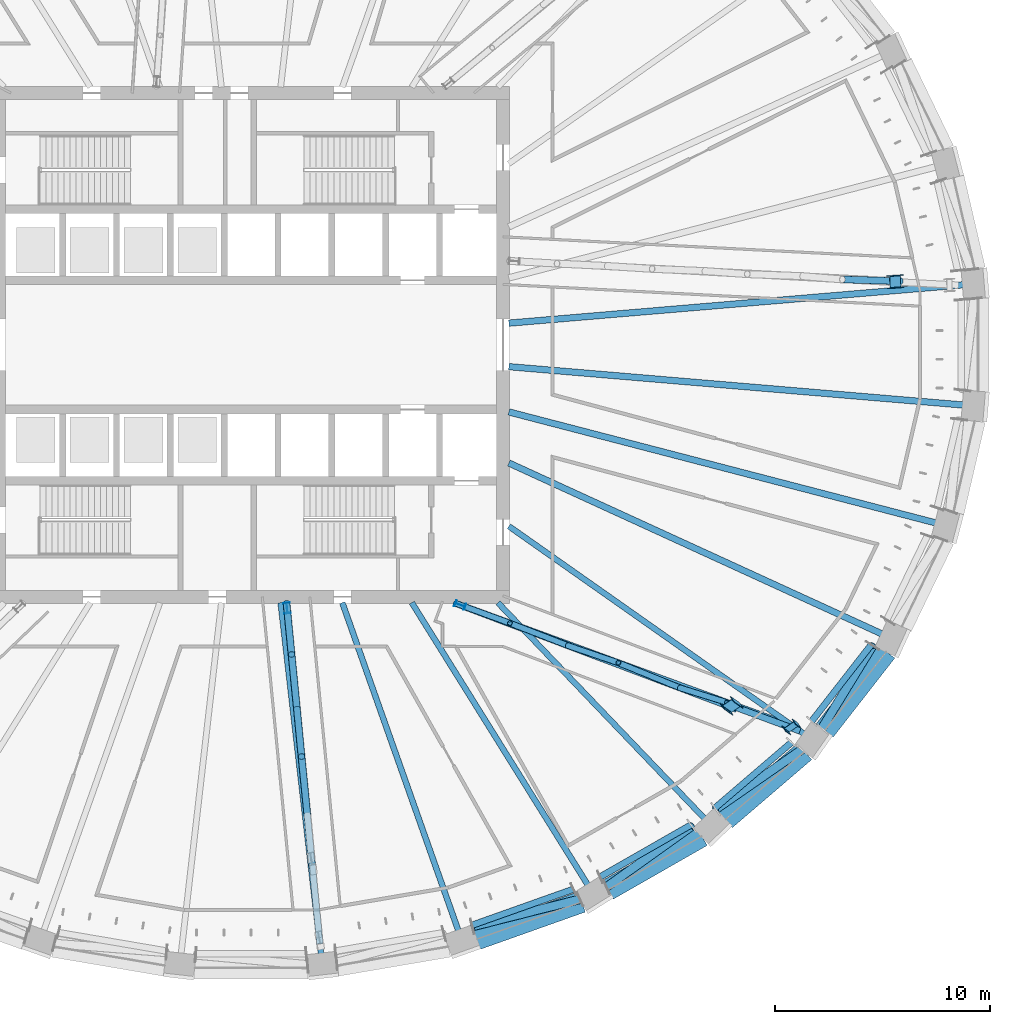
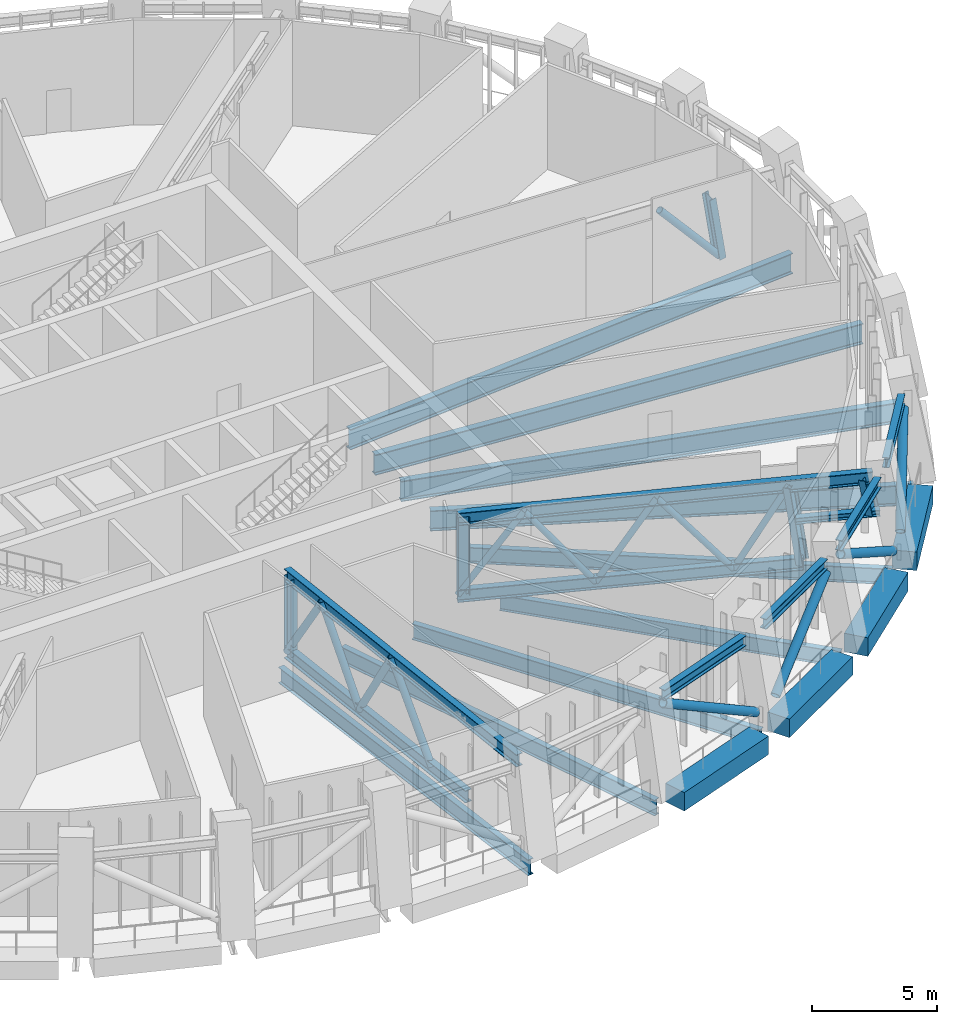
# One storey, part 3 of 21: 28 members, 13 beams.
"""IFC4 building model written with IfcOpenShell, lengths in metres."""

from ifc_helpers import new_model, si_unit, direction, frame, origin, origin_2d, place, context, subcontext, project, spatial, rectangle, hollow_circle, i_section, extrude, material, material_profile, profile_set, type_object, element, save


model = new_model("IFC4")

# Units and contexts
model_context = context("Model", 3, precision=1e-05, world=origin(), true_north=direction((0.0, 1.0)))
body_context = subcontext(model_context, "Body", "Model", "MODEL_VIEW")
ifc_project = project(units=[si_unit("LENGTHUNIT", "METRE"), si_unit("AREAUNIT", "SQUARE_METRE"), si_unit("VOLUMEUNIT", "CUBIC_METRE"), si_unit("PLANEANGLEUNIT", "RADIAN"), si_unit("MASSUNIT", "GRAM", prefix="KILO")], contexts=[model_context])

# Site, building, storey
site_placement = place(None, origin())
site = spatial("IfcSite", under=ifc_project, at=site_placement, CompositionType="ELEMENT")
building_placement = place(site_placement, origin())
building = spatial("IfcBuilding", under=site, at=building_placement, Name="Halqa Exchange Tower", CompositionType="ELEMENT")
storey_placement = place(building_placement, frame((0.0, 0.0, 173.5)))
storey = spatial("IfcBuildingStorey", under=building, at=storey_placement, Name="L39", CompositionType="ELEMENT", Elevation=173.5)

# Members
ifc_material_1 = material(Name="Steel S355", Category="steel")
ifc_material_profile_1 = material_profile(ifc_material_1, i_section(OverallWidth=0.300048828125, OverallDepth=0.5, WebThickness=0.014404296875, FlangeThickness=0.028076171875, FilletRadius=0.027099609375, at=origin_2d()), Name="HEB 500")
ifc_profile_set_1 = profile_set([ifc_material_profile_1], Name="Steel S355")
member_type_1 = type_object("IfcMemberType", Name="Belt truss chord HEB 500", PredefinedType="CHORD", material=ifc_profile_set_1)
member_1_placement = place(storey_placement, frame((10.254638671875, -26.95166015625, 4.25), z_axis=(0.942378759051, 0.334547865769, 0.0), x_axis=(-0.334547865769, 0.942378759051, 0.0)))
element("IfcMember", 1, at=member_1_placement, inside=storey, type_object=member_type_1, Name="Belt chord 26", PredefinedType="CHORD", context=body_context, shape_type="SweptSolid", body=[
    extrude(i_section(OverallWidth=0.300048828125, OverallDepth=0.5, WebThickness=0.014404296875, FlangeThickness=0.028076171875, FilletRadius=0.027099609375, at=origin_2d()), origin(), (0.0, 0.0, 1.0), 5.01708984375),
])
member_2_placement = place(storey_placement, frame((16.2041015625, -24.712158203125, 4.25), z_axis=(0.867761979949, 0.496980025912, 0.0), x_axis=(-0.496980025912, 0.867761979949, 0.0)))
element("IfcMember", 2, at=member_2_placement, inside=storey, type_object=member_type_1, Name="Belt chord 27", PredefinedType="CHORD", context=body_context, shape_type="SweptSolid", body=[
    extrude(i_section(OverallWidth=0.300048828125, OverallDepth=0.5, WebThickness=0.014404296875, FlangeThickness=0.028076171875, FilletRadius=0.027099609375, at=origin_2d()), origin(), (0.0, 0.0, 1.0), 4.875244140625),
])
member_3_placement = place(storey_placement, frame((21.53271484375, -21.5146484375, 4.25), z_axis=(0.759249266191, 0.650799932228, 0.0), x_axis=(-0.650799932228, 0.759249266191, 0.0)))
element("IfcMember", 3, at=member_3_placement, inside=storey, type_object=member_type_1, Name="Belt chord 28", PredefinedType="CHORD", context=body_context, shape_type="SweptSolid", body=[
    extrude(i_section(OverallWidth=0.300048828125, OverallDepth=0.5, WebThickness=0.014404296875, FlangeThickness=0.028076171875, FilletRadius=0.027099609375, at=origin_2d()), origin(), (0.0, 0.0, 1.0), 4.6982421875),
])
member_4_placement = place(storey_placement, frame((26.02880859375, -17.483642578125, 4.25), z_axis=(0.61479322814, 0.788688333014, 0.0), x_axis=(-0.788688333014, 0.61479322814, 0.0)))
element("IfcMember", 4, at=member_4_placement, inside=storey, type_object=member_type_1, Name="Belt chord 29", PredefinedType="CHORD", context=body_context, shape_type="SweptSolid", body=[
    extrude(i_section(OverallWidth=0.300048828125, OverallDepth=0.5, WebThickness=0.014404296875, FlangeThickness=0.028076171875, FilletRadius=0.027099609375, at=origin_2d()), origin(), (0.0, 0.0, 1.0), 4.517822265625),
])
ifc_material_profile_2 = material_profile(ifc_material_1, hollow_circle(Radius=0.203125, WallThickness=0.02490234375, at=origin_2d()), Name="CHS 406.4x25")
ifc_profile_set_2 = profile_set([ifc_material_profile_2], Name="Steel S355")
member_type_2 = type_object("IfcMemberType", Name="Belt truss diagonal CHS 406.4x25", PredefinedType="BRACE", material=ifc_profile_set_2)
member_5_placement = place(storey_placement, frame((10.268798828125, -27.0126953125, 3.864501953125), z_axis=(0.840508424684, 0.213276763009, -0.498054826696), x_axis=(-0.245952672162, 0.969281838815, 0.0)))
element("IfcMember", 5, at=member_5_placement, inside=storey, type_object=member_type_2, Name="Belt diagonal 26", PredefinedType="BRACE", context=body_context, shape_type="SweptSolid", body=[
    extrude(hollow_circle(Radius=0.203125, WallThickness=0.02490234375, at=origin_2d()), origin(), (0.0, 0.0, 1.0), 5.968505859375),
])
member_6_placement = place(storey_placement, frame((16.504638671875, -25.174072265625, 0.912353515625), z_axis=(0.69757096211, 0.497474173459, 0.515668691663), x_axis=(-0.580626866406, 0.814169786966, 0.0)))
element("IfcMember", 6, at=member_6_placement, inside=storey, type_object=member_type_2, Name="Belt diagonal 27", PredefinedType="BRACE", context=body_context, shape_type="SweptSolid", body=[
    extrude(hollow_circle(Radius=0.203125, WallThickness=0.02490234375, at=origin_2d()), origin(), (0.0, 0.0, 1.0), 5.689453125),
])
member_7_placement = place(storey_placement, frame((21.571533203125, -21.5712890625, 3.846923828125), z_axis=(0.704309128448, 0.48869555383, -0.514903201827), x_axis=(-0.570074666701, 0.821592888471, 0.0)))
element("IfcMember", 7, at=member_7_placement, inside=storey, type_object=member_type_2, Name="Belt diagonal 28", PredefinedType="BRACE", context=body_context, shape_type="SweptSolid", body=[
    extrude(hollow_circle(Radius=0.203125, WallThickness=0.02490234375, at=origin_2d()), origin(), (0.0, 0.0, 1.0), 5.701171875),
])
member_8_placement = place(storey_placement, frame((26.509521484375, -17.80859375, 0.93896484375), z_axis=(0.440784626595, 0.718445669426, 0.538093609924), x_axis=(-0.852364909508, 0.522947474456, 0.0)))
element("IfcMember", 8, at=member_8_placement, inside=storey, type_object=member_type_2, Name="Belt diagonal 29", PredefinedType="BRACE", context=body_context, shape_type="SweptSolid", body=[
    extrude(hollow_circle(Radius=0.203125, WallThickness=0.02490234375, at=origin_2d()), origin(), (0.0, 0.0, 1.0), 5.3564453125),
])

# Beams
ifc_material_profile_3 = material_profile(ifc_material_1, i_section(OverallWidth=0.300048828125, OverallDepth=0.989990234375, WebThickness=0.0166015625, FlangeThickness=0.031005859375, FilletRadius=0.030029296875, at=origin_2d()), Name="HEA 1000")
ifc_profile_set_3 = profile_set([ifc_material_profile_3], Name="Steel S355")
beam_type_1 = type_object("IfcBeamType", Name="Floor beam HEA 1000", PredefinedType="BEAM", material=ifc_profile_set_3)
beam_1_placement = place(storey_placement, frame((11.972412109375, -5.4853515625, -0.844970703125), z_axis=(0.909131678644, -0.416508812495, 0.0), x_axis=(0.416508812495, 0.909131678644, 0.0)))
element("IfcBeam", 9, at=beam_1_placement, inside=storey, type_object=beam_type_1, Name="Radial beam 30", PredefinedType="BEAM", context=body_context, shape_type="SweptSolid", body=[
    extrude(i_section(OverallWidth=0.300048828125, OverallDepth=0.989990234375, WebThickness=0.0166015625, FlangeThickness=0.031005859375, FilletRadius=0.030029296875, at=origin_2d()), origin(), (0.0, 0.0, 1.0), 19.36083984375),
])
ifc_material_profile_4 = material_profile(ifc_material_1, i_section(OverallWidth=0.300048828125, OverallDepth=1.0, WebThickness=0.01904296875, FlangeThickness=0.035888671875, FilletRadius=0.030029296875, at=origin_2d()), Name="HEB 1000")
ifc_profile_set_4 = profile_set([ifc_material_profile_4], Name="Steel S355")
beam_type_2 = type_object("IfcBeamType", Name="Floor beam HEB 1000", PredefinedType="BEAM", material=ifc_profile_set_4)
beam_2_placement = place(storey_placement, frame((11.972412109375, 1.0107421875, -0.85009765625), z_axis=(0.996455470836, 0.084121903455, 0.0), x_axis=(-0.084121903455, 0.996455470836, 0.0)))
element("IfcBeam", 10, at=beam_2_placement, inside=storey, type_object=beam_type_2, Name="Radial beam 1", PredefinedType="BEAM", context=body_context, shape_type="SweptSolid", body=[
    extrude(i_section(OverallWidth=0.300048828125, OverallDepth=1.0, WebThickness=0.01904296875, FlangeThickness=0.035888671875, FilletRadius=0.030029296875, at=origin_2d()), origin(), (0.0, 0.0, 1.0), 21.490966796875),
])
beam_3_placement = place(storey_placement, frame((11.97119140625, -3.11279296875, -0.85009765625), z_axis=(0.967821534715, -0.251637590478, 0.0), x_axis=(0.251637590478, 0.967821534715, 0.0)))
element("IfcBeam", 11, at=beam_3_placement, inside=storey, type_object=beam_type_2, Name="Radial beam 31", PredefinedType="BEAM", context=body_context, shape_type="SweptSolid", body=[
    extrude(i_section(OverallWidth=0.300048828125, OverallDepth=1.0, WebThickness=0.01904296875, FlangeThickness=0.035888671875, FilletRadius=0.030029296875, at=origin_2d()), origin(), (0.0, 0.0, 1.0), 20.79638671875),
])
beam_4_placement = place(storey_placement, frame((11.972412109375, -1.0107421875, -0.85009765625), z_axis=(0.996455470836, -0.084121903455, 0.0), x_axis=(0.084121903455, 0.996455470836, 0.0)))
element("IfcBeam", 12, at=beam_4_placement, inside=storey, type_object=beam_type_2, Name="Radial beam 32", PredefinedType="BEAM", context=body_context, shape_type="SweptSolid", body=[
    extrude(i_section(OverallWidth=0.300048828125, OverallDepth=1.0, WebThickness=0.01904296875, FlangeThickness=0.035888671875, FilletRadius=0.030029296875, at=origin_2d()), origin(), (0.0, 0.0, 1.0), 21.490966796875),
])
ifc_material_profile_5 = material_profile(ifc_material_1, i_section(OverallWidth=0.264892578125, OverallDepth=0.7529296875, WebThickness=0.01318359375, FlangeThickness=0.01708984375, FilletRadius=0.01708984375, at=origin_2d()), Name="IPE 750x147")
ifc_profile_set_5 = profile_set([ifc_material_profile_5], Name="Steel S355")
beam_type_3 = type_object("IfcBeamType", Name="Floor beam IPE 750x147", PredefinedType="BEAM", material=ifc_profile_set_5)
beam_5_placement = place(storey_placement, frame((11.462890625, -11.97216796875, -0.7265625), z_axis=(0.691574751558, -0.722304896153, 0.0), x_axis=(0.722304896153, 0.691574751558, 0.0)))
element("IfcBeam", 13, at=beam_5_placement, inside=storey, type_object=beam_type_3, Name="Radial beam 28", PredefinedType="BEAM", context=body_context, shape_type="SweptSolid", body=[
    extrude(i_section(OverallWidth=0.264892578125, OverallDepth=0.7529296875, WebThickness=0.01318359375, FlangeThickness=0.01708984375, FilletRadius=0.01708984375, at=origin_2d()), origin(), (0.0, 0.0, 1.0), 14.165283203125),
])
ifc_material_profile_6 = material_profile(ifc_material_1, i_section(OverallWidth=0.26806640625, OverallDepth=0.77001953125, WebThickness=0.015625, FlangeThickness=0.025390625, FilletRadius=0.01708984375, at=origin_2d()), Name="IPE 750x196")
ifc_profile_set_6 = profile_set([ifc_material_profile_6], Name="Steel S355")
beam_type_4 = type_object("IfcBeamType", Name="Floor beam IPE 750x196", PredefinedType="BEAM", material=ifc_profile_set_6)
beam_6_placement = place(storey_placement, frame((1.37548828125, -11.97119140625, -0.735107421875), z_axis=(0.114150878314, -0.993463425084, 0.0), x_axis=(0.993463425084, 0.114150878314, 0.0)))
element("IfcBeam", 14, at=beam_6_placement, inside=storey, type_object=beam_type_4, Name="Radial beam 25", PredefinedType="BEAM", context=body_context, shape_type="SweptSolid", body=[
    extrude(i_section(OverallWidth=0.26806640625, OverallDepth=0.77001953125, WebThickness=0.015625, FlangeThickness=0.025390625, FilletRadius=0.01708984375, at=origin_2d()), origin(), (0.0, 0.0, 1.0), 16.70361328125),
])
beam_7_placement = place(storey_placement, frame((4.237060546875, -11.972412109375, -0.735107421875), z_axis=(0.333624740658, -0.942705962865, 0.0), x_axis=(0.942705962865, 0.333624740658, 0.0)))
element("IfcBeam", 15, at=beam_7_placement, inside=storey, type_object=beam_type_4, Name="Radial beam 26", PredefinedType="BEAM", context=body_context, shape_type="SweptSolid", body=[
    extrude(i_section(OverallWidth=0.26806640625, OverallDepth=0.77001953125, WebThickness=0.015625, FlangeThickness=0.025390625, FilletRadius=0.01708984375, at=origin_2d()), origin(), (0.0, 0.0, 1.0), 16.440185546875),
])
beam_8_placement = place(storey_placement, frame((7.46533203125, -11.971435546875, -0.735107421875), z_axis=(0.529139539114, -0.848534824357, 0.0), x_axis=(0.848534824357, 0.529139539114, 0.0)))
element("IfcBeam", 16, at=beam_8_placement, inside=storey, type_object=beam_type_4, Name="Radial beam 27", PredefinedType="BEAM", context=body_context, shape_type="SweptSolid", body=[
    extrude(i_section(OverallWidth=0.26806640625, OverallDepth=0.77001953125, WebThickness=0.015625, FlangeThickness=0.025390625, FilletRadius=0.01708984375, at=origin_2d()), origin(), (0.0, 0.0, 1.0), 15.73486328125),
])
beam_9_placement = place(storey_placement, frame((11.971435546875, -8.421142578125, -0.735107421875), z_axis=(0.817908264437, -0.575348651659, 0.0), x_axis=(0.575348651659, 0.817908264437, 0.0)))
element("IfcBeam", 17, at=beam_9_placement, inside=storey, type_object=beam_type_4, Name="Radial beam 29", PredefinedType="BEAM", context=body_context, shape_type="SweptSolid", body=[
    extrude(i_section(OverallWidth=0.26806640625, OverallDepth=0.77001953125, WebThickness=0.015625, FlangeThickness=0.025390625, FilletRadius=0.01708984375, at=origin_2d()), origin(), (0.0, 0.0, 1.0), 17.04638671875),
])

# Members
ifc_material_profile_7 = material_profile(ifc_material_1, i_section(OverallWidth=0.300048828125, OverallDepth=0.60009765625, WebThickness=0.015380859375, FlangeThickness=0.030029296875, FilletRadius=0.027099609375, at=origin_2d()), Name="HEB 600")
ifc_profile_set_7 = profile_set([ifc_material_profile_7], Name="Steel S355")
member_type_3 = type_object("IfcMemberType", Name="Outrigger chord HEB 600", PredefinedType="CHORD", material=ifc_profile_set_7)
member_9_placement = place(storey_placement, frame((1.6474609375, -11.97314453125, 0.300048828125), z_axis=(0.097896247627, -0.99519662615, 0.0), x_axis=(0.99519662615, 0.097896247627, 0.0)))
element("IfcMember", 18, at=member_9_placement, inside=storey, type_object=member_type_3, Name="Outrigger 7 chord", PredefinedType="CHORD", context=body_context, shape_type="SweptSolid", body=[
    extrude(i_section(OverallWidth=0.300048828125, OverallDepth=0.60009765625, WebThickness=0.015380859375, FlangeThickness=0.030029296875, FilletRadius=0.027099609375, at=origin_2d()), origin(), (0.0, 0.0, 1.0), 12.421875),
])
member_10_placement = place(storey_placement, frame((1.6474609375, -11.97314453125, 4.047119140625), z_axis=(0.097290007314, -0.995256074825, 0.0), x_axis=(0.995256074825, 0.097290007314, 0.0)))
element("IfcMember", 19, at=member_10_placement, inside=storey, type_object=member_type_3, Name="Outrigger 7 chord", PredefinedType="CHORD", context=body_context, shape_type="SweptSolid", body=[
    extrude(i_section(OverallWidth=0.300048828125, OverallDepth=0.60009765625, WebThickness=0.015380859375, FlangeThickness=0.030029296875, FilletRadius=0.027099609375, at=origin_2d()), origin(), (0.0, 0.0, 1.0), 15.922119140625),
])
member_11_placement = place(storey_placement, frame((9.474853515625, -11.990478515625, 0.300048828125), z_axis=(0.935734904051, -0.352704110185, 0.0), x_axis=(0.352704110185, 0.935734904051, 0.0)))
element("IfcMember", 20, at=member_11_placement, inside=storey, type_object=member_type_3, Name="Outrigger 8 chord", PredefinedType="CHORD", context=body_context, shape_type="SweptSolid", body=[
    extrude(i_section(OverallWidth=0.300048828125, OverallDepth=0.60009765625, WebThickness=0.015380859375, FlangeThickness=0.030029296875, FilletRadius=0.027099609375, at=origin_2d()), origin(), (0.0, 0.0, 1.0), 13.976806640625),
])
member_12_placement = place(storey_placement, frame((9.474853515625, -11.990478515625, 4.047119140625), z_axis=(0.93913303244, -0.343553703777, 0.0), x_axis=(0.343553703777, 0.93913303244, 0.0)))
element("IfcMember", 21, at=member_12_placement, inside=storey, type_object=member_type_3, Name="Outrigger 8 chord", PredefinedType="CHORD", context=body_context, shape_type="SweptSolid", body=[
    extrude(i_section(OverallWidth=0.300048828125, OverallDepth=0.60009765625, WebThickness=0.015380859375, FlangeThickness=0.030029296875, FilletRadius=0.027099609375, at=origin_2d()), origin(), (0.0, 0.0, 1.0), 16.796630859375),
])
ifc_material_profile_8 = material_profile(ifc_material_1, hollow_circle(Radius=0.136474609375, WallThickness=0.01611328125, at=origin_2d()), Name="CHS 273x16")
ifc_profile_set_8 = profile_set([ifc_material_profile_8], Name="Steel S355")
member_type_4 = type_object("IfcMemberType", Name="Outrigger diagonal CHS 273x16", PredefinedType="BRACE", material=ifc_profile_set_8)
member_13_placement = place(storey_placement, frame((9.5, -12.0, 0.300048828125), z_axis=(0.546749098777, -0.200031450148, 0.813051561673), x_axis=(0.34358348858, 0.939122136027, 0.0)))
element("IfcMember", 22, at=member_13_placement, inside=storey, type_object=member_type_4, Name="Outrigger 8 diagonal", PredefinedType="BRACE", context=body_context, shape_type="SweptSolid", body=[
    extrude(hollow_circle(Radius=0.136474609375, WallThickness=0.01611328125, at=origin_2d()), origin(), (0.0, 0.0, 1.0), 4.608642578125),
])
member_14_placement = place(storey_placement, frame((12.019775390625, -12.921875, 4.047119140625), z_axis=(0.569032220174, -0.22040707367, -0.792226643253), x_axis=(0.361188684256, 0.932492752983, 0.0)))
element("IfcMember", 23, at=member_14_placement, inside=storey, type_object=member_type_4, Name="Outrigger 8 diagonal", PredefinedType="BRACE", context=body_context, shape_type="SweptSolid", body=[
    extrude(hollow_circle(Radius=0.136474609375, WallThickness=0.01611328125, at=origin_2d()), origin(), (0.0, 0.0, 1.0), 4.729736328125),
])
member_15_placement = place(storey_placement, frame((14.711181640625, -13.96435546875, 0.300048828125), z_axis=(0.522547042513, -0.178238574331, 0.833771910645), x_axis=(0.322832192185, 0.946456219637, 0.0)))
element("IfcMember", 24, at=member_15_placement, inside=storey, type_object=member_type_4, Name="Outrigger 8 diagonal", PredefinedType="BRACE", context=body_context, shape_type="SweptSolid", body=[
    extrude(hollow_circle(Radius=0.136474609375, WallThickness=0.01611328125, at=origin_2d()), origin(), (0.0, 0.0, 1.0), 4.494140625),
])
member_16_placement = place(storey_placement, frame((17.0595703125, -14.765380859375, 4.047119140625), z_axis=(0.589461090386, -0.239514120891, -0.771471716147), x_axis=(0.376438498501, 0.926441610058, 0.0)))
element("IfcMember", 25, at=member_16_placement, inside=storey, type_object=member_type_4, Name="Outrigger 8 diagonal", PredefinedType="BRACE", context=body_context, shape_type="SweptSolid", body=[
    extrude(hollow_circle(Radius=0.136474609375, WallThickness=0.01611328125, at=origin_2d()), origin(), (0.0, 0.0, 1.0), 4.85693359375),
])
member_17_placement = place(storey_placement, frame((19.922607421875, -15.9287109375, 0.300048828125), z_axis=(0.496197418389, -0.155065171916, 0.854249913341), x_axis=(0.298281089317, 0.954478072957, 0.0)))
element("IfcMember", 26, at=member_17_placement, inside=storey, type_object=member_type_4, Name="Outrigger 8 diagonal", PredefinedType="BRACE", context=body_context, shape_type="SweptSolid", body=[
    extrude(hollow_circle(Radius=0.136474609375, WallThickness=0.01611328125, at=origin_2d()), origin(), (0.0, 0.0, 1.0), 4.386474609375),
])
ifc_material_profile_9 = material_profile(ifc_material_1, hollow_circle(Radius=0.161865234375, WallThickness=0.01611328125, at=origin_2d()), Name="CHS 323.9x16")
ifc_profile_set_9 = profile_set([ifc_material_profile_9], Name="Steel S355")
member_type_5 = type_object("IfcMemberType", Name="Outrigger diagonal CHS 323.9x16", PredefinedType="BRACE", material=ifc_profile_set_9)
member_18_placement = place(storey_placement, frame((27.460205078125, 3.0400390625, 3.60595703125), z_axis=(0.65619520217, -0.019828933097, -0.754330610582), x_axis=(0.030204253293, 0.999543747458, 0.0)))
element("IfcMember", 27, at=member_18_placement, inside=storey, type_object=member_type_5, Name="Outrigger 1 diagonal", PredefinedType="BRACE", context=body_context, shape_type="SweptSolid", body=[
    extrude(hollow_circle(Radius=0.161865234375, WallThickness=0.01611328125, at=origin_2d()), origin(), (0.0, 0.0, 1.0), 4.1123046875),
])
member_19_placement = place(storey_placement, frame((1.64990234375, -12.0, 0.300048828125), z_axis=(0.052276117253, -0.534304794633, 0.843673867082), x_axis=(0.995247806454, 0.097374553903, 0.0)))
element("IfcMember", 28, at=member_19_placement, inside=storey, type_object=member_type_5, Name="Outrigger 7 diagonal", PredefinedType="BRACE", context=body_context, shape_type="SweptSolid", body=[
    extrude(hollow_circle(Radius=0.161865234375, WallThickness=0.01611328125, at=origin_2d()), origin(), (0.0, 0.0, 1.0), 4.44140625),
])
member_20_placement = place(storey_placement, frame((1.882080078125, -14.373046875, 4.047119140625), z_axis=(0.055606663891, -0.561820906833, -0.825387889162), x_axis=(0.995137593068, 0.09849452199, 0.0)))
element("IfcMember", 29, at=member_20_placement, inside=storey, type_object=member_type_5, Name="Outrigger 7 diagonal", PredefinedType="BRACE", context=body_context, shape_type="SweptSolid", body=[
    extrude(hollow_circle(Radius=0.161865234375, WallThickness=0.01611328125, at=origin_2d()), origin(), (0.0, 0.0, 1.0), 4.539794921875),
])
member_21_placement = place(storey_placement, frame((2.134521484375, -16.923583984375, 0.300048828125), z_axis=(0.048626589413, -0.504907958432, 0.861802418373), x_axis=(0.995394414657, 0.095864275255, 0.0)))
element("IfcMember", 30, at=member_21_placement, inside=storey, type_object=member_type_5, Name="Outrigger 7 diagonal", PredefinedType="BRACE", context=body_context, shape_type="SweptSolid", body=[
    extrude(hollow_circle(Radius=0.161865234375, WallThickness=0.01611328125, at=origin_2d()), origin(), (0.0, 0.0, 1.0), 4.347900390625),
])
member_22_placement = place(storey_placement, frame((2.345947265625, -19.118896484375, 4.047119140625), z_axis=(0.058787633549, -0.587560838351, -0.807041681314), x_axis=(0.995031898773, 0.09955661919, 0.0)))
element("IfcMember", 31, at=member_22_placement, inside=storey, type_object=member_type_5, Name="Outrigger 7 diagonal", PredefinedType="BRACE", context=body_context, shape_type="SweptSolid", body=[
    extrude(hollow_circle(Radius=0.161865234375, WallThickness=0.01611328125, at=origin_2d()), origin(), (0.0, 0.0, 1.0), 4.64306640625),
])
ifc_material_profile_10 = material_profile(ifc_material_1, i_section(OverallWidth=0.300048828125, OverallDepth=0.300048828125, WebThickness=0.010986328125, FlangeThickness=0.01904296875, FilletRadius=0.027099609375, at=origin_2d()), Name="HEB 300")
ifc_profile_set_10 = profile_set([ifc_material_profile_10], Name="Steel S355")
member_type_6 = type_object("IfcMemberType", Name="Outrigger opening chord HEB 300", PredefinedType="CHORD", material=ifc_profile_set_10)
member_23_placement = place(storey_placement, frame((22.29345703125, -16.74560546875, 2.35009765625), z_axis=(0.937590682517, -0.347740869121, 0.0), x_axis=(0.347740869121, 0.937590682517, 0.0)))
element("IfcMember", 32, at=member_23_placement, inside=storey, type_object=member_type_6, Name="Outrigger 8 opening chord", PredefinedType="CHORD", context=body_context, shape_type="SweptSolid", body=[
    extrude(i_section(OverallWidth=0.300048828125, OverallDepth=0.300048828125, WebThickness=0.010986328125, FlangeThickness=0.01904296875, FilletRadius=0.027099609375, at=origin_2d()), origin(), (0.0, 0.0, 1.0), 3.411376953125),
])
ifc_material_profile_11 = material_profile(ifc_material_1, i_section(OverallWidth=0.300048828125, OverallDepth=0.5, WebThickness=0.014404296875, FlangeThickness=0.028076171875, FilletRadius=0.027099609375, at=origin_2d()), Name="HEB 500")
ifc_profile_set_11 = profile_set([ifc_material_profile_11], Name="Steel S355")
member_type_7 = type_object("IfcMemberType", Name="Outrigger post HEB 500", PredefinedType="POST", material=ifc_profile_set_11)
for number, where, z_axis, x_axis, name in (
    (33, (1.671875, -12.22119140625, 0.300048828125), (0.0, 0.0, 1.0), (0.995193276492, 0.097930293706, 0.0), "Outrigger 7 post"),
    (34, (9.7080078125, -12.078369140625, 0.300048828125), (0.0, 0.0, 1.0), (0.353148290685, 0.935567359834, 0.0), "Outrigger 8 post"),
):
    element("IfcMember", number, at=place(storey_placement, frame(where, z_axis=z_axis, x_axis=x_axis)), inside=storey, type_object=member_type_7, Name=name, PredefinedType="POST", context=body_context, shape_type="SweptSolid", body=[
        extrude(i_section(OverallWidth=0.300048828125, OverallDepth=0.5, WebThickness=0.014404296875, FlangeThickness=0.028076171875, FilletRadius=0.027099609375, at=origin_2d()), origin(), (0.0, 0.0, 1.0), 3.7470703125),
    ])
ifc_material_profile_12 = material_profile(ifc_material_1, i_section(OverallWidth=0.300048828125, OverallDepth=0.60009765625, WebThickness=0.015380859375, FlangeThickness=0.030029296875, FilletRadius=0.027099609375, at=origin_2d()), Name="HEB 600")
ifc_profile_set_12 = profile_set([ifc_material_profile_12], Name="Steel S355")
member_type_8 = type_object("IfcMemberType", Name="Outrigger post HEB 600", PredefinedType="POST", material=ifc_profile_set_12)
member_24_placement = place(storey_placement, frame((30.15869140625, 2.95849609375, 0.50390625), z_axis=(-0.156008830185, -0.013214499816, 0.987667262745), x_axis=(0.987177323059, 0.032126086805, 0.156361272008)))
element("IfcMember", 35, at=member_24_placement, inside=storey, type_object=member_type_8, Name="Outrigger 1 post", PredefinedType="POST", context=body_context, shape_type="SweptSolid", body=[
    extrude(i_section(OverallWidth=0.300048828125, OverallDepth=0.60009765625, WebThickness=0.015380859375, FlangeThickness=0.030029296875, FilletRadius=0.027099609375, at=origin_2d()), origin(), (0.0, 0.0, 1.0), 3.140869140625),
])
member_25_placement = place(storey_placement, frame((22.5283203125, -16.91064453125, 0.300048828125), z_axis=(-0.113436031751, 0.079753660549, 0.990339144096), x_axis=(0.554834360329, -0.821783727993, 0.129731788719)))
element("IfcMember", 36, at=member_25_placement, inside=storey, type_object=member_type_8, Name="Outrigger 8 post", PredefinedType="POST", context=body_context, shape_type="SweptSolid", body=[
    extrude(i_section(OverallWidth=0.300048828125, OverallDepth=0.60009765625, WebThickness=0.015380859375, FlangeThickness=0.030029296875, FilletRadius=0.027099609375, at=origin_2d()), origin(), (0.0, 0.0, 1.0), 3.78369140625),
])
member_26_placement = place(storey_placement, frame((25.2119140625, -17.826416015625, 2.35009765625), z_axis=(-0.141001584791, 0.099197094828, 0.985027151638), x_axis=(0.55052452892, -0.819089685274, 0.161291135947)))
element("IfcMember", 37, at=member_26_placement, inside=storey, type_object=member_type_8, Name="Outrigger 8 post", PredefinedType="POST", context=body_context, shape_type="SweptSolid", body=[
    extrude(i_section(OverallWidth=0.300048828125, OverallDepth=0.60009765625, WebThickness=0.015380859375, FlangeThickness=0.030029296875, FilletRadius=0.027099609375, at=origin_2d()), origin(), (0.0, 0.0, 1.0), 1.722900390625),
])

# Beams
ifc_material_2 = material(Name="Concrete C60/75", Category="concrete")
ifc_material_profile_13 = material_profile(ifc_material_2, rectangle(XDim=1.0, YDim=0.89990234375, at=origin_2d()), Name="1000 x 900")
ifc_profile_set_13 = profile_set([ifc_material_profile_13], Name="Concrete C60/75")
beam_type_5 = type_object("IfcBeamType", Name="RC spandrel beam 1000 x 900 C60/75", PredefinedType="SPANDREL", material=ifc_profile_set_13)
beam_10_placement = place(storey_placement, frame((10.482177734375, -27.59765625, -0.449951171875), z_axis=(0.942370602203, 0.334570841682, 0.0), x_axis=(-0.334570841682, 0.942370602203, 0.0)))
element("IfcBeam", 38, at=beam_10_placement, inside=storey, type_object=beam_type_5, Name="Spandrel 26", PredefinedType="SPANDREL", context=body_context, shape_type="SweptSolid", body=[
    extrude(rectangle(XDim=1.0, YDim=0.89990234375, at=origin_2d()), origin(), (0.0, 0.0, 1.0), 5.169921875),
])
beam_11_placement = place(storey_placement, frame((16.5751953125, -25.30712890625, -0.449951171875), z_axis=(0.867743165303, 0.497012876161, 0.0), x_axis=(-0.497012876161, 0.867743165303, 0.0)))
element("IfcBeam", 39, at=beam_11_placement, inside=storey, type_object=beam_type_5, Name="Spandrel 27", PredefinedType="SPANDREL", context=body_context, shape_type="SweptSolid", body=[
    extrude(rectangle(XDim=1.0, YDim=0.89990234375, at=origin_2d()), origin(), (0.0, 0.0, 1.0), 5.022705078125),
])
beam_12_placement = place(storey_placement, frame((22.031005859375, -22.03662109375, -0.449951171875), z_axis=(0.759260160399, 0.650787222394, 0.0), x_axis=(-0.650787222394, 0.759260160399, 0.0)))
element("IfcBeam", 40, at=beam_12_placement, inside=storey, type_object=beam_type_5, Name="Spandrel 28", PredefinedType="SPANDREL", context=body_context, shape_type="SweptSolid", body=[
    extrude(rectangle(XDim=1.0, YDim=0.89990234375, at=origin_2d()), origin(), (0.0, 0.0, 1.0), 4.843505859375),
])
beam_13_placement = place(storey_placement, frame((26.63623046875, -17.9130859375, -0.449951171875), z_axis=(0.614796515977, 0.78868577009, 0.0), x_axis=(-0.78868577009, 0.614796515977, 0.0)))
element("IfcBeam", 41, at=beam_13_placement, inside=storey, type_object=beam_type_5, Name="Spandrel 29", PredefinedType="SPANDREL", context=body_context, shape_type="SweptSolid", body=[
    extrude(rectangle(XDim=1.0, YDim=0.89990234375, at=origin_2d()), origin(), (0.0, 0.0, 1.0), 4.658447265625),
])

save(model, "model.ifc")
